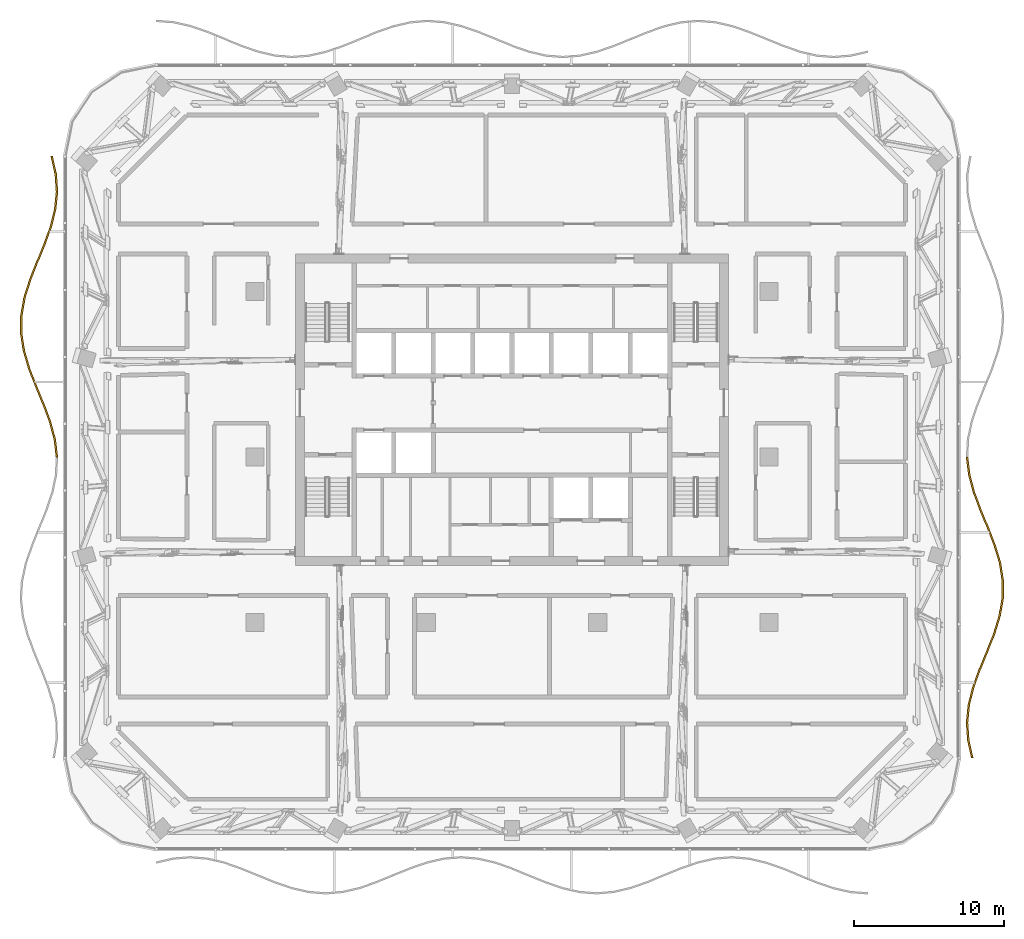
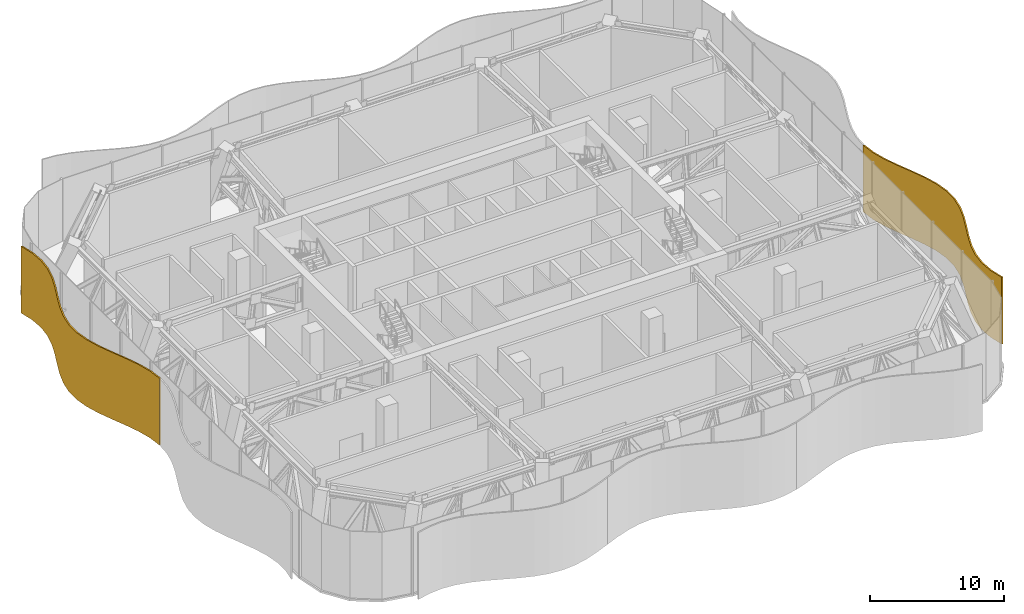
# One storey, part 26 of 29: 2 shading devices.
"""IFC4 building model written with IfcOpenShell, lengths in metres."""

from ifc_helpers import new_model, si_unit, direction, frame, origin, place, context, subcontext, project, spatial, polyline, outline, extrude, material, layer, layer_set, type_object, element, save


model = new_model("IFC4")

# Units and contexts
model_context = context("Model", 3, precision=1e-05, world=origin(), true_north=direction((0.0, 1.0)))
body_context = subcontext(model_context, "Body", "Model", "MODEL_VIEW")
ifc_project = project(units=[si_unit("LENGTHUNIT", "METRE"), si_unit("AREAUNIT", "SQUARE_METRE"), si_unit("VOLUMEUNIT", "CUBIC_METRE"), si_unit("PLANEANGLEUNIT", "RADIAN"), si_unit("MASSUNIT", "GRAM", prefix="KILO")], contexts=[model_context])

# Site, building, storey
site_placement = place(None, origin())
site = spatial("IfcSite", under=ifc_project, at=site_placement, CompositionType="ELEMENT")
building_placement = place(site_placement, origin())
building = spatial("IfcBuilding", under=site, at=building_placement, Name="Mopane Tessera Tower", CompositionType="ELEMENT")
storey_placement = place(building_placement, frame((0.0, 0.0, 315.39990234375)))
storey = spatial("IfcBuildingStorey", under=building, at=storey_placement, Name="L69", CompositionType="ELEMENT", Elevation=315.39990234375)

# Shading devices
ifc_material = material(Name="Anodised aluminium louvre blades", Category="aluminium")
ifc_layer = layer(ifc_material, 0.1201171875)
ifc_layer_set = layer_set([ifc_layer], Name="Anodised aluminium louvre blades")
shading_device_type = type_object("IfcShadingDeviceType", Name="Wave louvre screen", PredefinedType="JALOUSIE", material=ifc_layer_set)
shading_device_1_placement = place(storey_placement, frame((0.0, 0.0, -0.419921875)))
element("IfcShadingDevice", 1, at=shading_device_1_placement, inside=storey, type_object=shading_device_type, Name="e:lv:L69:E:0", PredefinedType="JALOUSIE", context=body_context, shape_type="SweptSolid", body=[
    extrude(outline(polyline([(30.54150390625, -20.0), (30.273193359375, -18.823486328125), (30.190673828125, -17.64697265625), (30.3076171875, -16.470703125), (30.6044921875, -15.294189453125), (31.031982421875, -14.11767578125), (31.51904296875, -12.941162109375), (31.984619140625, -11.7646484375), (32.351318359375, -10.588134765625), (32.55810546875, -9.411865234375), (32.57080078125, -8.2353515625), (32.386962890625, -7.058837890625), (32.037353515625, -5.88232421875), (31.580078125, -4.705810546875), (31.09130859375, -3.529296875), (30.652099609375, -2.35302734375), (30.335693359375, -1.176513671875), (30.194580078125, 0.0), (30.314453125, 0.0), (30.455810546875, -1.176513671875), (30.772216796875, -2.35302734375), (31.21142578125, -3.529296875), (31.7001953125, -4.705810546875), (32.157470703125, -5.88232421875), (32.5068359375, -7.058837890625), (32.690673828125, -8.2353515625), (32.67822265625, -9.411865234375), (32.471435546875, -10.588134765625), (32.104736328125, -11.7646484375), (31.63916015625, -12.941162109375), (31.152099609375, -14.11767578125), (30.724609375, -15.294189453125), (30.427734375, -16.470703125), (30.310791015625, -17.64697265625), (30.393310546875, -18.823486328125), (30.661376953125, -20.0), (30.54150390625, -20.0)])), origin(), (0.0, 0.0, 1.0), 6.070068359375),
])
shading_device_2_placement = place(storey_placement, frame((0.0, 0.0, -0.419921875)))
element("IfcShadingDevice", 2, at=shading_device_2_placement, inside=storey, type_object=shading_device_type, Name="e:lv:L69:W:0", PredefinedType="JALOUSIE", context=body_context, shape_type="SweptSolid", body=[
    extrude(outline(polyline([(-30.54150390625, 20.0), (-30.273193359375, 18.823486328125), (-30.190673828125, 17.64697265625), (-30.3076171875, 16.470703125), (-30.6044921875, 15.294189453125), (-31.031982421875, 14.11767578125), (-31.51904296875, 12.941162109375), (-31.984619140625, 11.7646484375), (-32.351318359375, 10.588134765625), (-32.55810546875, 9.411865234375), (-32.57080078125, 8.2353515625), (-32.386962890625, 7.058837890625), (-32.037353515625, 5.88232421875), (-31.580078125, 4.705810546875), (-31.09130859375, 3.529296875), (-30.652099609375, 2.35302734375), (-30.335693359375, 1.176513671875), (-30.194580078125, 0.0), (-30.314453125, 0.0), (-30.455810546875, 1.176513671875), (-30.772216796875, 2.35302734375), (-31.21142578125, 3.529296875), (-31.7001953125, 4.705810546875), (-32.157470703125, 5.88232421875), (-32.5068359375, 7.058837890625), (-32.690673828125, 8.2353515625), (-32.67822265625, 9.411865234375), (-32.471435546875, 10.588134765625), (-32.104736328125, 11.7646484375), (-31.63916015625, 12.941162109375), (-31.152099609375, 14.11767578125), (-30.724609375, 15.294189453125), (-30.427734375, 16.470703125), (-30.310791015625, 17.64697265625), (-30.393310546875, 18.823486328125), (-30.661376953125, 20.0), (-30.54150390625, 20.0)])), origin(), (0.0, 0.0, 1.0), 6.070068359375),
])

save(model, "model.ifc")
